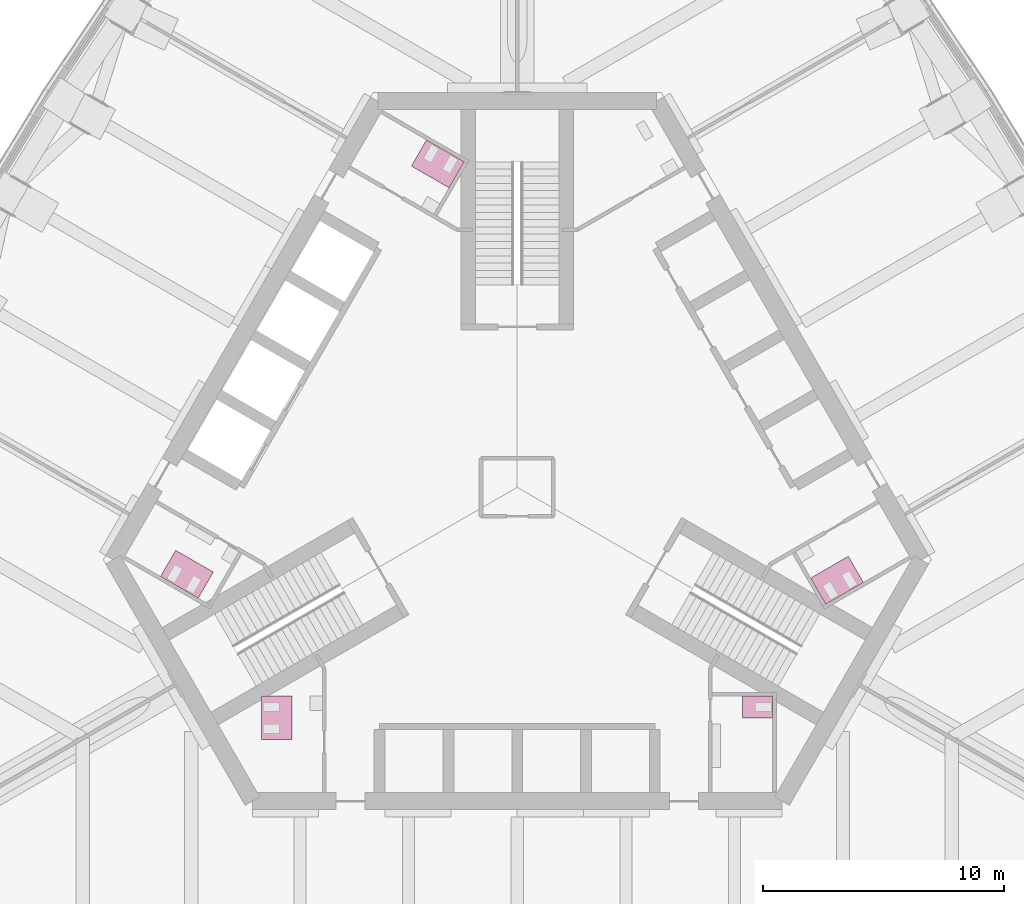
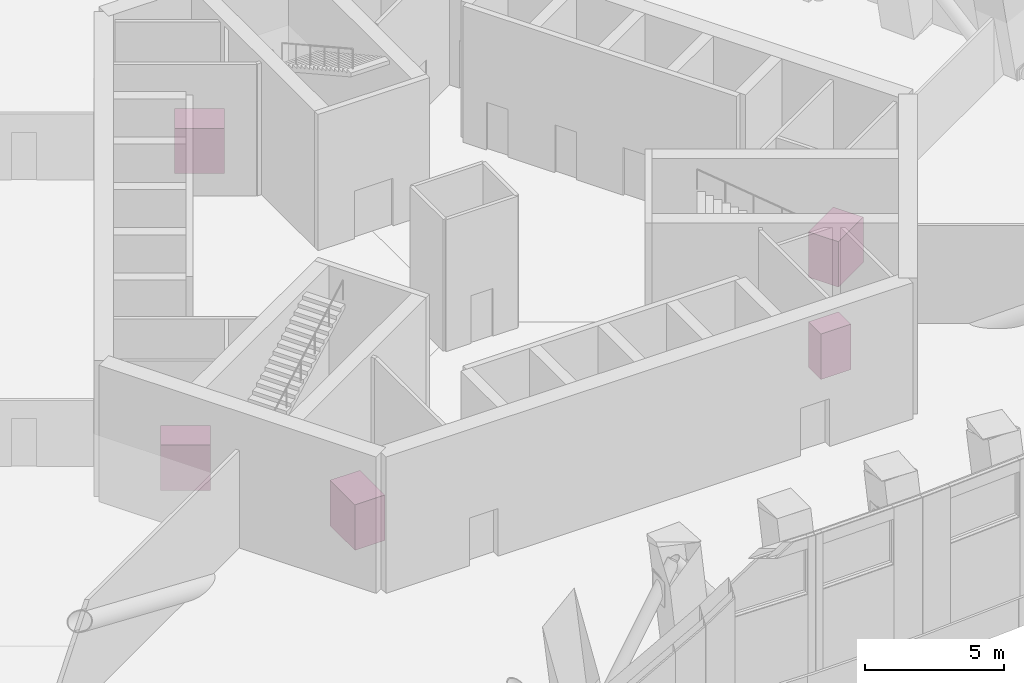
# One storey, part 22 of 22: 5 furniture elements.
"""IFC4 building model written with IfcOpenShell, lengths in metres."""

from ifc_helpers import new_model, si_unit, direction, frame, origin, place, context, subcontext, project, spatial, polyline, outline, extrude, material, type_object, element, save


model = new_model("IFC4")

# Units and contexts
model_context = context("Model", 3, precision=1e-05, world=origin(), true_north=direction((0.0, 1.0)))
body_context = subcontext(model_context, "Body", "Model", "MODEL_VIEW")
ifc_project = project(units=[si_unit("LENGTHUNIT", "METRE"), si_unit("AREAUNIT", "SQUARE_METRE"), si_unit("VOLUMEUNIT", "CUBIC_METRE"), si_unit("PLANEANGLEUNIT", "RADIAN"), si_unit("MASSUNIT", "GRAM", prefix="KILO")], contexts=[model_context])

# Site, building, storey
site_placement = place(None, origin())
site = spatial("IfcSite", under=ifc_project, at=site_placement, CompositionType="ELEMENT")
building_placement = place(site_placement, origin())
building = spatial("IfcBuilding", under=site, at=building_placement, Name="Trefoil Bronze Tower", CompositionType="ELEMENT")
storey_placement = place(building_placement, frame((0.0, 0.0, 265.300048828125)))
storey = spatial("IfcBuildingStorey", under=building, at=storey_placement, Name="L61", CompositionType="ELEMENT", Elevation=265.300048828125)

# Furniture
ifc_material_1 = material(Name="Compact laminate cubicles", Category="plastic")
furniture_type_1 = type_object("IfcFurnitureType", Name="WC cubicle range 1 cubicles", AssemblyPlace="FACTORY", PredefinedType="USERDEFINED", material=ifc_material_1)
furniture_1_placement = place(storey_placement, origin())
element("IfcFurniture", 1, at=furniture_1_placement, inside=storey, type_object=furniture_type_1, Name="WC cubicle range WC (men) L61", ObjectType="WC cubicle range", PredefinedType="USERDEFINED", context=body_context, shape_type="SweptSolid", body=[
    extrude(outline(polyline([(9.3349609375, -8.64990234375), (10.5849609375, -8.64990234375), (10.5849609375, -9.550048828125), (9.3349609375, -9.550048828125), (9.3349609375, -8.64990234375)])), origin(), (0.0, 0.0, 1.0), 2.0),
])
ifc_material_2 = material(Name="Compact laminate cubicles", Category="plastic")
furniture_type_2 = type_object("IfcFurnitureType", Name="WC cubicle range 2 cubicles", AssemblyPlace="FACTORY", PredefinedType="USERDEFINED", material=ifc_material_2)
furniture_2_placement = place(storey_placement, origin())
element("IfcFurniture", 2, at=furniture_2_placement, inside=storey, type_object=furniture_type_2, Name="WC cubicle range WC (women) L61", ObjectType="WC cubicle range", PredefinedType="USERDEFINED", context=body_context, shape_type="SweptSolid", body=[
    extrude(outline(polyline([(12.15869140625, -3.75927734375), (12.78369140625, -4.841796875), (14.342529296875, -3.94189453125), (13.717529296875, -2.859375), (12.15869140625, -3.75927734375)])), origin(), (0.0, 0.0, 1.0), 2.0),
])
furniture_3_placement = place(storey_placement, origin())
element("IfcFurniture", 3, at=furniture_3_placement, inside=storey, type_object=furniture_type_2, Name="WC cubicle range WC (women) L61", ObjectType="WC cubicle range", PredefinedType="USERDEFINED", context=body_context, shape_type="SweptSolid", body=[
    extrude(outline(polyline([(-2.82373046875, 12.409423828125), (-2.19873046875, 13.491943359375), (-3.757568359375, 14.391845703125), (-4.382568359375, 13.309326171875), (-2.82373046875, 12.409423828125)])), origin(), (0.0, 0.0, 1.0), 2.0),
])
furniture_4_placement = place(storey_placement, origin())
element("IfcFurniture", 4, at=furniture_4_placement, inside=storey, type_object=furniture_type_2, Name="WC cubicle range WC (men) L61", ObjectType="WC cubicle range", PredefinedType="USERDEFINED", context=body_context, shape_type="SweptSolid", body=[
    extrude(outline(polyline([(-12.591552734375, -3.50927734375), (-13.216552734375, -4.591796875), (-14.775390625, -3.69189453125), (-14.150390625, -2.609375), (-12.591552734375, -3.50927734375)])), origin(), (0.0, 0.0, 1.0), 2.0),
])
furniture_5_placement = place(storey_placement, origin())
element("IfcFurniture", 5, at=furniture_5_placement, inside=storey, type_object=furniture_type_2, Name="WC cubicle range WC (women) L61", ObjectType="WC cubicle range", PredefinedType="USERDEFINED", context=body_context, shape_type="SweptSolid", body=[
    extrude(outline(polyline([(-9.3349609375, -8.64990234375), (-10.5849609375, -8.64990234375), (-10.5849609375, -10.449951171875), (-9.3349609375, -10.449951171875), (-9.3349609375, -8.64990234375)])), origin(), (0.0, 0.0, 1.0), 2.0),
])

save(model, "model.ifc")
